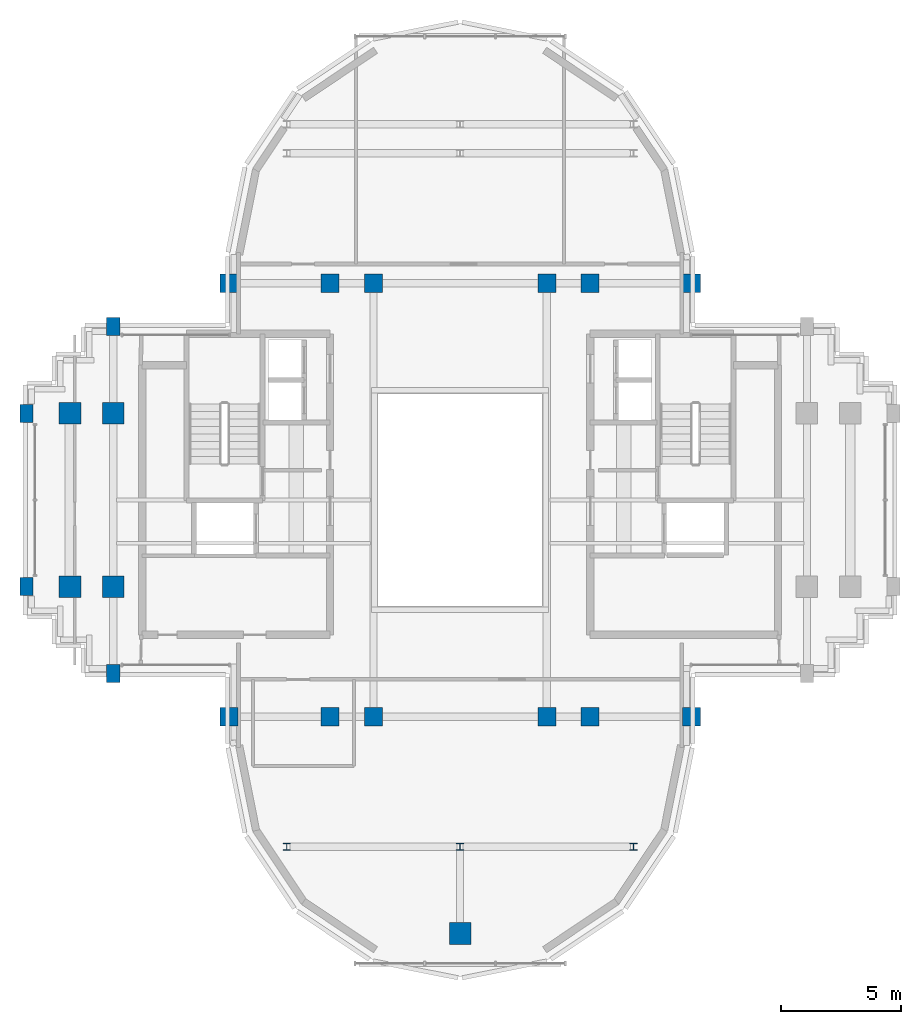
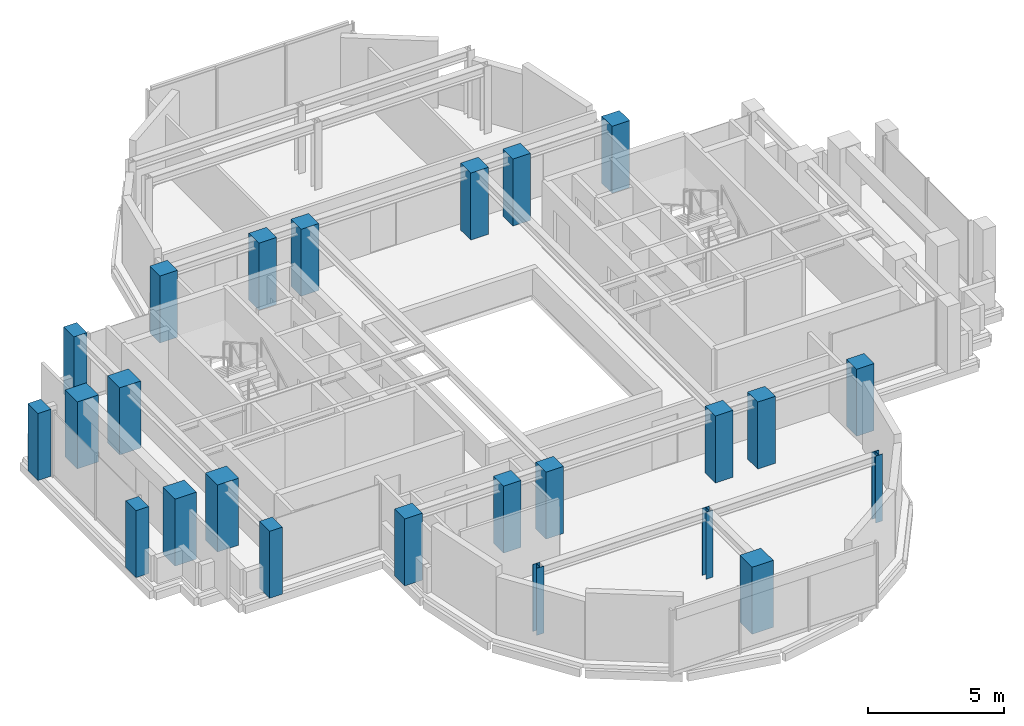
# One storey, part 1 of 12: 24 columns.
"""IFC4 building model written with IfcOpenShell, lengths in metres."""

from ifc_helpers import new_model, si_unit, direction, frame, origin, origin_2d, place, context, subcontext, project, spatial, rectangle, i_section, extrude, source, transform, mapped, material, material_profile, profile_set, type_object, element, save


model = new_model("IFC4")

# Units and contexts
model_context = context("Model", 3, precision=1e-05, world=origin(), true_north=direction((0.0, 1.0)))
body_context = subcontext(model_context, "Body", "Model", "MODEL_VIEW")
ifc_project = project(units=[si_unit("LENGTHUNIT", "METRE"), si_unit("AREAUNIT", "SQUARE_METRE"), si_unit("VOLUMEUNIT", "CUBIC_METRE"), si_unit("PLANEANGLEUNIT", "RADIAN"), si_unit("MASSUNIT", "GRAM", prefix="KILO")], contexts=[model_context])

# Site, building, storey
site_placement = place(None, origin())
site = spatial("IfcSite", under=ifc_project, at=site_placement, CompositionType="ELEMENT")
building_placement = place(site_placement, origin())
building = spatial("IfcBuilding", under=site, at=building_placement, Name="Keilestroom Media Tower", CompositionType="ELEMENT")
storey_placement = place(building_placement, frame((0.0, 0.0, 249.199951171875)))
storey = spatial("IfcBuildingStorey", under=building, at=storey_placement, Name="L69", CompositionType="ELEMENT", Elevation=249.199951171875)

# Columns
ifc_material_1 = material(Name="Precast concrete C40/50", Category="concrete")
ifc_material_profile_1 = material_profile(ifc_material_1, rectangle(XDim=0.550048828125, YDim=0.75, at=origin_2d()), Name="PC 750x550")
ifc_profile_set_1 = profile_set([ifc_material_profile_1], Name="Precast concrete C40/50")
column_type_1 = type_object("IfcColumnType", Name="Structural-Column-PC-750x550", PredefinedType="COLUMN", material=ifc_profile_set_1)
shared_shape_1 = source(origin(), body_context, "Body", "SweptSolid", [
    extrude(rectangle(XDim=0.550048828125, YDim=0.75, at=origin_2d()), origin(), (0.0, 0.0, 1.0), 3.010009765625),
])
for number, where, z_axis, x_axis, name in (
    (1, (-18.0, -3.60009765625, 0.0), (0.0, 0.0, 1.0), (1.0, 0.0, 0.0), "L69 Column PC-3 (-18.0,-3.6)"),
    (2, (-18.0, 3.60009765625, 0.0), (0.0, 0.0, 1.0), (1.0, 0.0, 0.0), "L69 Column PC-3 (-18.0,+3.6)"),
    (3, (-14.39990234375, -7.199951171875, 0.0), (0.0, 0.0, 1.0), (1.0, 0.0, 0.0), "L69 Column PC-3 (-14.4,-7.2)"),
    (4, (-14.39990234375, 7.199951171875, 0.0), (0.0, 0.0, 1.0), (1.0, 0.0, 0.0), "L69 Column PC-3 (-14.4,+7.2)"),
):
    element("IfcColumn", number, at=place(storey_placement, frame(where, z_axis=z_axis, x_axis=x_axis)), inside=storey, type_object=column_type_1, Name=name, PredefinedType="COLUMN", context=body_context, shape_type="MappedRepresentation", body=[
        mapped(shared_shape_1, transform((0.0, 0.0, 0.0), x_axis=(1.0, 0.0, 0.0), y_axis=(0.0, 1.0, 0.0), z_axis=(0.0, 0.0, 1.0), scale=1.0)),
    ])
ifc_material_2 = material(Name="Concrete C55/67", Category="concrete")
ifc_material_profile_2 = material_profile(ifc_material_2, rectangle(XDim=0.89990234375, YDim=0.89990234375, at=origin_2d()), Name="RC 900x900")
ifc_profile_set_2 = profile_set([ifc_material_profile_2], Name="Concrete C55/67")
column_type_2 = type_object("IfcColumnType", Name="Structural-Column-RC-900x900", PredefinedType="COLUMN", material=ifc_profile_set_2)
shared_shape_2 = source(origin(), body_context, "Body", "SweptSolid", [
    extrude(rectangle(XDim=0.89990234375, YDim=0.89990234375, at=origin_2d()), origin(), (0.0, 0.0, 1.0), 3.010009765625),
])
for number, where, z_axis, x_axis, name in (
    (5, (-16.199951171875, -3.60009765625, 0.0), (0.0, 0.0, 1.0), (1.0, 0.0, 0.0), "L69 Column MC-4 (-16.2,-3.6)"),
    (6, (-16.199951171875, 3.60009765625, 0.0), (0.0, 0.0, 1.0), (1.0, 0.0, 0.0), "L69 Column MC-4 (-16.2,+3.6)"),
    (7, (-14.39990234375, -3.60009765625, 0.0), (0.0, 0.0, 1.0), (1.0, 0.0, 0.0), "L69 Column MC-4 (-14.4,-3.6)"),
    (8, (-14.39990234375, 3.60009765625, 0.0), (0.0, 0.0, 1.0), (1.0, 0.0, 0.0), "L69 Column MC-4 (-14.4,+3.6)"),
    (9, (0.0, -18.0, 0.0), (0.0, 0.0, 1.0), (1.0, 0.0, 0.0), "L69 Column MC-4 (+0.0,-18.0)"),
):
    element("IfcColumn", number, at=place(storey_placement, frame(where, z_axis=z_axis, x_axis=x_axis)), inside=storey, type_object=column_type_2, Name=name, PredefinedType="COLUMN", context=body_context, shape_type="MappedRepresentation", body=[
        mapped(shared_shape_2, transform((0.0, 0.0, 0.0), x_axis=(1.0, 0.0, 0.0), y_axis=(0.0, 1.0, 0.0), z_axis=(0.0, 0.0, 1.0), scale=1.0)),
    ])
ifc_material_3 = material(Name="Concrete C50/60", Category="concrete")
ifc_material_profile_3 = material_profile(ifc_material_3, rectangle(XDim=0.75, YDim=0.75, at=origin_2d()), Name="RC 750x750")
ifc_profile_set_3 = profile_set([ifc_material_profile_3], Name="Concrete C50/60")
column_type_3 = type_object("IfcColumnType", Name="Structural-Column-RC-750x750", PredefinedType="COLUMN", material=ifc_profile_set_3)
shared_shape_3 = source(origin(), body_context, "Body", "SweptSolid", [
    extrude(rectangle(XDim=0.75, YDim=0.75, at=origin_2d()), origin(), (0.0, 0.0, 1.0), 3.010009765625),
])
for number, where, z_axis, x_axis, name in (
    (10, (-9.60009765625, -9.0, 0.0), (0.0, 0.0, 1.0), (1.0, 0.0, 0.0), "L69 Column MC-5 (-9.6,-9.0)"),
    (11, (-9.60009765625, 9.0, 0.0), (0.0, 0.0, 1.0), (1.0, 0.0, 0.0), "L69 Column MC-5 (-9.6,+9.0)"),
    (12, (-5.39990234375, -9.0, 0.0), (0.0, 0.0, 1.0), (1.0, 0.0, 0.0), "L69 Column MC-5 (-5.4,-9.0)"),
    (13, (-5.39990234375, 9.0, 0.0), (0.0, 0.0, 1.0), (1.0, 0.0, 0.0), "L69 Column MC-5 (-5.4,+9.0)"),
    (14, (-3.60009765625, -9.0, 0.0), (0.0, 0.0, 1.0), (1.0, 0.0, 0.0), "L69 Column MC-5 (-3.6,-9.0)"),
    (15, (-3.60009765625, 9.0, 0.0), (0.0, 0.0, 1.0), (1.0, 0.0, 0.0), "L69 Column MC-5 (-3.6,+9.0)"),
    (16, (3.60009765625, -9.0, 0.0), (0.0, 0.0, 1.0), (1.0, 0.0, 0.0), "L69 Column MC-5 (+3.6,-9.0)"),
    (17, (3.60009765625, 9.0, 0.0), (0.0, 0.0, 1.0), (1.0, 0.0, 0.0), "L69 Column MC-5 (+3.6,+9.0)"),
    (18, (5.39990234375, -9.0, 0.0), (0.0, 0.0, 1.0), (1.0, 0.0, 0.0), "L69 Column MC-5 (+5.4,-9.0)"),
    (19, (5.39990234375, 9.0, 0.0), (0.0, 0.0, 1.0), (1.0, 0.0, 0.0), "L69 Column MC-5 (+5.4,+9.0)"),
    (20, (9.60009765625, -9.0, 0.0), (0.0, 0.0, 1.0), (1.0, 0.0, 0.0), "L69 Column MC-5 (+9.6,-9.0)"),
    (21, (9.60009765625, 9.0, 0.0), (0.0, 0.0, 1.0), (1.0, 0.0, 0.0), "L69 Column MC-5 (+9.6,+9.0)"),
):
    element("IfcColumn", number, at=place(storey_placement, frame(where, z_axis=z_axis, x_axis=x_axis)), inside=storey, type_object=column_type_3, Name=name, PredefinedType="COLUMN", context=body_context, shape_type="MappedRepresentation", body=[
        mapped(shared_shape_3, transform((0.0, 0.0, 0.0), x_axis=(1.0, 0.0, 0.0), y_axis=(0.0, 1.0, 0.0), z_axis=(0.0, 0.0, 1.0), scale=1.0)),
    ])
ifc_material_4 = material(Name="Steel S355", Category="steel")
ifc_material_profile_4 = material_profile(ifc_material_4, i_section(OverallWidth=0.300048828125, OverallDepth=0.300048828125, WebThickness=0.010986328125, FlangeThickness=0.01904296875, at=origin_2d()), Name="HEB 300")
ifc_profile_set_4 = profile_set([ifc_material_profile_4], Name="Steel S355")
column_type_4 = type_object("IfcColumnType", Name="Structural-Column-HEB-300", PredefinedType="COLUMN", material=ifc_profile_set_4)
shared_shape_4 = source(origin(), body_context, "Body", "SweptSolid", [
    extrude(i_section(OverallWidth=0.300048828125, OverallDepth=0.300048828125, WebThickness=0.010986328125, FlangeThickness=0.01904296875, at=origin_2d()), origin(), (0.0, 0.0, 1.0), 3.010009765625),
])
for number, where, z_axis, x_axis, name in (
    (22, (-7.199951171875, -14.39990234375, 0.0), (0.0, 0.0, 1.0), (1.0, 0.0, 0.0), "L69 Column SC-5 (-7.2,-14.4)"),
    (23, (0.0, -14.39990234375, 0.0), (0.0, 0.0, 1.0), (1.0, 0.0, 0.0), "L69 Column SC-5 (+0.0,-14.4)"),
    (24, (7.199951171875, -14.39990234375, 0.0), (0.0, 0.0, 1.0), (1.0, 0.0, 0.0), "L69 Column SC-5 (+7.2,-14.4)"),
):
    element("IfcColumn", number, at=place(storey_placement, frame(where, z_axis=z_axis, x_axis=x_axis)), inside=storey, type_object=column_type_4, Name=name, PredefinedType="COLUMN", context=body_context, shape_type="MappedRepresentation", body=[
        mapped(shared_shape_4, transform((0.0, 0.0, 0.0), x_axis=(1.0, 0.0, 0.0), y_axis=(0.0, 1.0, 0.0), z_axis=(0.0, 0.0, 1.0), scale=1.0)),
    ])

save(model, "model.ifc")
